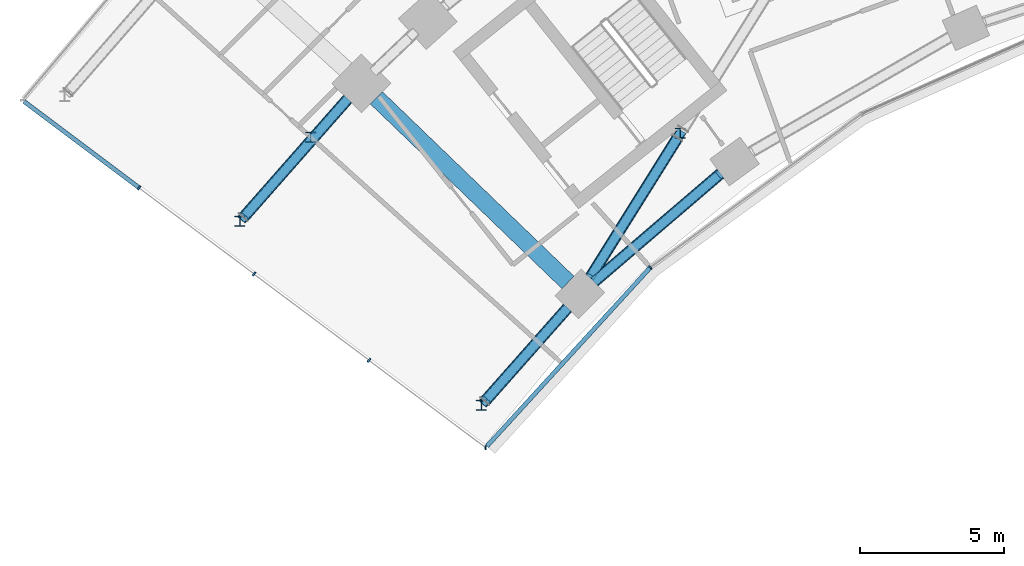
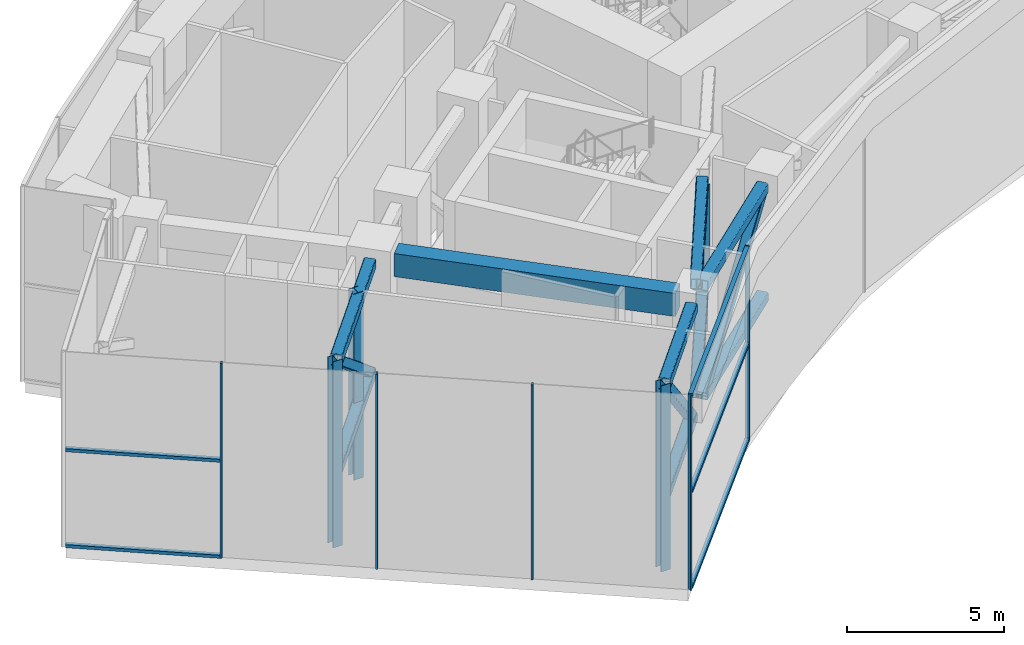
# One storey, part 2 of 30: 26 members, 1 beam, 2 elements without a shape of their own.
"""IFC4 building model written with IfcOpenShell, lengths in metres."""

from ifc_helpers import new_model, si_unit, direction, frame, origin, origin_2d, place, context, subcontext, project, spatial, rectangle, hollow_rectangle, i_section, extrude, material, layer, layer_set, material_profile, profile_set, type_object, element, aggregate, save


model = new_model("IFC4")

# Units and contexts
model_context = context("Model", 3, precision=1e-05, world=origin(), true_north=direction((0.0, 1.0)))
body_context = subcontext(model_context, "Body", "Model", "MODEL_VIEW")
ifc_project = project(units=[si_unit("LENGTHUNIT", "METRE"), si_unit("AREAUNIT", "SQUARE_METRE"), si_unit("VOLUMEUNIT", "CUBIC_METRE"), si_unit("PLANEANGLEUNIT", "RADIAN"), si_unit("MASSUNIT", "GRAM", prefix="KILO")], contexts=[model_context])

# Site, building, storey
site_placement = place(None, origin())
site = spatial("IfcSite", under=ifc_project, at=site_placement, CompositionType="ELEMENT")
building_placement = place(site_placement, origin())
building = spatial("IfcBuilding", under=site, at=building_placement, Name="Stone Belt Terrace Tower", CompositionType="ELEMENT")
storey_placement = place(building_placement, frame((0.0, 0.0, 136.39990234375)))
storey = spatial("IfcBuildingStorey", under=building, at=storey_placement, Name="L33", CompositionType="ELEMENT", Elevation=136.39990234375)

# Curtain wall, members
ifc_material_1 = material(Name="Aluminium 6063-T6 anodised frame", Category="aluminium")
ifc_layer_1 = layer(ifc_material_1, 0.14990234375)
ifc_layer_set_1 = layer_set([ifc_layer_1], Name="CW-B unitised concave-face curtain wall")
curtain_wall_type_1 = type_object("IfcCurtainWallType", Name="CW-B unitised concave-face curtain wall", PredefinedType="NOTDEFINED", material=ifc_layer_set_1)
curtain_wall_1_placement = place(storey_placement, origin())
curtain_wall_1 = element("IfcCurtainWall", 1, at=curtain_wall_1_placement, inside=storey, type_object=curtain_wall_type_1, Name="CW-B concave face L33", PredefinedType="NOTDEFINED")
ifc_material_profile_1 = material_profile(ifc_material_1, rectangle(XDim=0.14990234375, YDim=0.050048828125, at=origin_2d()), Name="Aluminium 6063-T6 50x150")
ifc_profile_set_1 = profile_set([ifc_material_profile_1], Name="Aluminium 6063-T6 anodised frame")
member_type_1 = type_object("IfcMemberType", Name="CW-B mullion 50 x 150", PredefinedType="MULLION", material=ifc_profile_set_1)
member_1_placement = place(storey_placement, frame((-34.7900390625, 26.0, 0.0), z_axis=(0.0, 0.0, 1.0), x_axis=(-0.093180581986, 0.995649224949, 0.0)))
member_1 = element("IfcMember", 2, at=member_1_placement, type_object=member_type_1, Name="CW-B mullion 1", PredefinedType="MULLION", context=body_context, shape_type="SweptSolid", body=[
    extrude(rectangle(XDim=0.14990234375, YDim=0.050048828125, at=origin_2d()), origin(), (0.0, 0.0, 1.0), 7.60009765625),
])
member_2_placement = place(storey_placement, frame((-29.056884765625, 32.2705078125, 0.0), z_axis=(0.0, 0.0, 1.0), x_axis=(-0.666300886777, 0.745682994496, 0.0)))
member_2 = element("IfcMember", 3, at=member_2_placement, type_object=member_type_1, Name="CW-B mullion 2", PredefinedType="MULLION", context=body_context, shape_type="SweptSolid", body=[
    extrude(rectangle(XDim=0.14990234375, YDim=0.050048828125, at=origin_2d()), origin(), (0.0, 0.0, 1.0), 7.60009765625),
])
ifc_material_profile_2 = material_profile(ifc_material_1, rectangle(XDim=0.14990234375, YDim=0.1201171875, at=origin_2d()), Name="Aluminium 6063-T6 150x120")
ifc_profile_set_2 = profile_set([ifc_material_profile_2], Name="Aluminium 6063-T6 anodised frame")
member_type_2 = type_object("IfcMemberType", Name="CW-B transom 120 x 150", PredefinedType="USERDEFINED", material=ifc_profile_set_2)
member_3_placement = place(storey_placement, frame((-34.743408203125, 26.05078125, 0.06005859375), z_axis=(0.674757432231, 0.738039570517, 0.0), x_axis=(-0.738039570517, 0.674757432231, 0.0)))
member_3 = element("IfcMember", 4, at=member_3_placement, type_object=member_type_2, Name="CW-B transom 1.1", ObjectType="TRANSOM", PredefinedType="USERDEFINED", context=body_context, shape_type="SweptSolid", body=[
    extrude(rectangle(XDim=0.14990234375, YDim=0.1201171875, at=origin_2d()), origin(), (0.0, 0.0, 1.0), 8.39501953125),
])
member_4_placement = place(storey_placement, frame((-34.743408203125, 26.05078125, 3.800048828125), z_axis=(0.674757432231, 0.738039570517, 0.0), x_axis=(-0.738039570517, 0.674757432231, 0.0)))
member_4 = element("IfcMember", 5, at=member_4_placement, type_object=member_type_2, Name="CW-B transom 1.2", ObjectType="TRANSOM", PredefinedType="USERDEFINED", context=body_context, shape_type="SweptSolid", body=[
    extrude(rectangle(XDim=0.14990234375, YDim=0.1201171875, at=origin_2d()), origin(), (0.0, 0.0, 1.0), 8.39501953125),
])
member_5_placement = place(storey_placement, frame((-34.743408203125, 26.05078125, 7.5400390625), z_axis=(0.674757432231, 0.738039570517, 0.0), x_axis=(-0.738039570517, 0.674757432231, 0.0)))
member_5 = element("IfcMember", 6, at=member_5_placement, type_object=member_type_2, Name="CW-B transom 1.3", ObjectType="TRANSOM", PredefinedType="USERDEFINED", context=body_context, shape_type="SweptSolid", body=[
    extrude(rectangle(XDim=0.14990234375, YDim=0.1201171875, at=origin_2d()), origin(), (0.0, 0.0, 1.0), 8.39501953125),
])
aggregate(curtain_wall_1, [member_1, member_2, member_3, member_4, member_5])

ifc_layer_2 = layer(ifc_material_1, 0.14990234375)
ifc_layer_set_2 = layer_set([ifc_layer_2], Name="CW-C stick curtain wall, horn ends and notches")
curtain_wall_type_2 = type_object("IfcCurtainWallType", Name="CW-C stick curtain wall, horn ends and notches", PredefinedType="NOTDEFINED", material=ifc_layer_set_2)
curtain_wall_2_placement = place(storey_placement, origin())
curtain_wall_2 = element("IfcCurtainWall", 7, at=curtain_wall_2_placement, inside=storey, type_object=curtain_wall_type_2, Name="CW-C end face L33", PredefinedType="NOTDEFINED")
ifc_material_profile_3 = material_profile(ifc_material_1, rectangle(XDim=0.14990234375, YDim=0.06005859375, at=origin_2d()), Name="Aluminium 6063-T6 60x150")
ifc_profile_set_3 = profile_set([ifc_material_profile_3], Name="Aluminium 6063-T6 anodised frame")
member_type_3 = type_object("IfcMemberType", Name="CW-C mullion 60 x 150", PredefinedType="MULLION", material=ifc_profile_set_3)
member_6_placement = place(storey_placement, frame((-46.84423828125, 35.041015625, 0.0), z_axis=(0.0, 0.0, 1.0), x_axis=(0.600017992436, 0.799986505357, 0.0)))
member_6 = element("IfcMember", 8, at=member_6_placement, type_object=member_type_3, Name="CW-C mullion 2", PredefinedType="MULLION", context=body_context, shape_type="SweptSolid", body=[
    extrude(rectangle(XDim=0.14990234375, YDim=0.06005859375, at=origin_2d()), origin(), (0.0, 0.0, 1.0), 7.60009765625),
])
member_7_placement = place(storey_placement, frame((-42.84423828125, 32.041015625, 0.0), z_axis=(0.0, 0.0, 1.0), x_axis=(0.600017992436, 0.799986505357, 0.0)))
member_7 = element("IfcMember", 9, at=member_7_placement, type_object=member_type_3, Name="CW-C mullion 3", PredefinedType="MULLION", context=body_context, shape_type="SweptSolid", body=[
    extrude(rectangle(XDim=0.14990234375, YDim=0.06005859375, at=origin_2d()), origin(), (0.0, 0.0, 1.0), 7.60009765625),
])
member_8_placement = place(storey_placement, frame((-38.84423828125, 29.040771484375, 0.0), z_axis=(0.0, 0.0, 1.0), x_axis=(0.600017992436, 0.799986505357, 0.0)))
member_8 = element("IfcMember", 10, at=member_8_placement, type_object=member_type_3, Name="CW-C mullion 4", PredefinedType="MULLION", context=body_context, shape_type="SweptSolid", body=[
    extrude(rectangle(XDim=0.14990234375, YDim=0.06005859375, at=origin_2d()), origin(), (0.0, 0.0, 1.0), 7.60009765625),
])
ifc_material_profile_4 = material_profile(ifc_material_1, rectangle(XDim=0.14990234375, YDim=0.1201171875, at=origin_2d()), Name="Aluminium 6063-T6 150x120")
ifc_profile_set_4 = profile_set([ifc_material_profile_4], Name="Aluminium 6063-T6 anodised frame")
member_type_4 = type_object("IfcMemberType", Name="CW-C transom 120 x 150", PredefinedType="USERDEFINED", material=ifc_profile_set_4)
member_9_placement = place(storey_placement, frame((-50.84765625, 38.043701171875, 0.06005859375), z_axis=(0.8, -0.6, 0.0), x_axis=(0.6, 0.8, 0.0)))
member_9 = element("IfcMember", 11, at=member_9_placement, type_object=member_type_4, Name="CW-C transom 1.1", ObjectType="TRANSOM", PredefinedType="USERDEFINED", context=body_context, shape_type="SweptSolid", body=[
    extrude(rectangle(XDim=0.14990234375, YDim=0.1201171875, at=origin_2d()), origin(), (0.0, 0.0, 1.0), 4.974365234375),
])
member_10_placement = place(storey_placement, frame((-50.84765625, 38.043701171875, 3.800048828125), z_axis=(0.8, -0.6, 0.0), x_axis=(0.6, 0.8, 0.0)))
member_10 = element("IfcMember", 12, at=member_10_placement, type_object=member_type_4, Name="CW-C transom 1.2", ObjectType="TRANSOM", PredefinedType="USERDEFINED", context=body_context, shape_type="SweptSolid", body=[
    extrude(rectangle(XDim=0.14990234375, YDim=0.1201171875, at=origin_2d()), origin(), (0.0, 0.0, 1.0), 4.974365234375),
])
aggregate(curtain_wall_2, [member_6, member_7, member_8, member_9, member_10])

# Beam
ifc_material_2 = material(Name="Concrete B60", Category="concrete")
ifc_material_profile_5 = material_profile(ifc_material_2, rectangle(XDim=0.60009765625, YDim=0.89990234375, at=origin_2d()), Name="RC 600x900")
ifc_profile_set_5 = profile_set([ifc_material_profile_5], Name="Concrete B60")
beam_type = type_object("IfcBeamType", Name="Edge beam RC 600x900 B60", PredefinedType="SPANDREL", material=ifc_profile_set_5)
beam_placement = place(storey_placement, frame((-31.921875, 31.745849609375, 6.800048828125), z_axis=(-0.720003843897, 0.69397007484, 0.0), x_axis=(-0.69397007484, -0.720003843897, 0.0)))
element("IfcBeam", 13, at=beam_placement, inside=storey, type_object=beam_type, Name="Edge beam L33 A P to Q", PredefinedType="SPANDREL", context=body_context, shape_type="SweptSolid", body=[
    extrude(rectangle(XDim=0.60009765625, YDim=0.89990234375, at=origin_2d()), origin(), (0.0, 0.0, 1.0), 9.255859375),
])

# Members
ifc_material_3 = material(Name="Structural steel C345", Category="steel")
ifc_material_profile_6 = material_profile(ifc_material_3, hollow_rectangle(XDim=0.39990234375, YDim=0.39990234375, WallThickness=0.02001953125, InnerFilletRadius=0.0400390625, OuterFilletRadius=0.06005859375, at=origin_2d()), Name="SHS 400x400x20")
ifc_profile_set_6 = profile_set([ifc_material_profile_6], Name="Structural steel C345")
member_type_5 = type_object("IfcMemberType", Name="Outrigger chord SHS 400x400x20", PredefinedType="CHORD", material=ifc_profile_set_6)
for number, where, z_axis, x_axis, name in (
    (14, (-34.8046875, 27.622802734375, 7.050048828125), (0.6628480348, 0.74875395342, 0.0), (-0.74875395342, 0.6628480348, 0.0), "Outrigger T2 Pw top chord 1"),
    (15, (-34.8046875, 27.622802734375, 2.800048828125), (0.6628480348, 0.74875395342, 0.0), (-0.74875395342, 0.6628480348, 0.0), "Outrigger T2 Pw bot chord 1"),
):
    element("IfcMember", number, at=place(storey_placement, frame(where, z_axis=z_axis, x_axis=x_axis)), inside=storey, type_object=member_type_5, Name=name, PredefinedType="CHORD", context=body_context, shape_type="SweptSolid", body=[
        extrude(hollow_rectangle(XDim=0.39990234375, YDim=0.39990234375, WallThickness=0.02001953125, InnerFilletRadius=0.0400390625, OuterFilletRadius=0.06005859375, at=origin_2d()), origin(), (0.0, 0.0, 1.0), 4.322509765625),
    ])
for number, where, z_axis, x_axis, name in (
    (16, (-31.012451171875, 31.77099609375, 7.050048828125), (0.759578320567, 0.650415847688, 0.0), (-0.650415847688, 0.759578320567, 0.0), "Outrigger T2 Pw top chord 2"),
    (17, (-31.012451171875, 31.77099609375, 2.800048828125), (0.759578320567, 0.650415847688, 0.0), (-0.650415847688, 0.759578320567, 0.0), "Outrigger T2 Pw bot chord 2"),
):
    element("IfcMember", number, at=place(storey_placement, frame(where, z_axis=z_axis, x_axis=x_axis)), inside=storey, type_object=member_type_5, Name=name, PredefinedType="CHORD", context=body_context, shape_type="SweptSolid", body=[
        extrude(hollow_rectangle(XDim=0.39990234375, YDim=0.39990234375, WallThickness=0.02001953125, InnerFilletRadius=0.0400390625, OuterFilletRadius=0.06005859375, at=origin_2d()), origin(), (0.0, 0.0, 1.0), 5.783447265625),
    ])
for number, where, z_axis, x_axis, name in (
    (18, (-43.204833984375, 34.016845703125, 7.050048828125), (0.660610806321, 0.75072855452, 0.0), (-0.75072855452, 0.660610806321, 0.0), "Outrigger T2 Qw top chord 1"),
    (19, (-43.204833984375, 34.016845703125, 2.800048828125), (0.660610806321, 0.75072855452, 0.0), (-0.75072855452, 0.660610806321, 0.0), "Outrigger T2 Qw bot chord 1"),
):
    element("IfcMember", number, at=place(storey_placement, frame(where, z_axis=z_axis, x_axis=x_axis)), inside=storey, type_object=member_type_5, Name=name, PredefinedType="CHORD", context=body_context, shape_type="SweptSolid", body=[
        extrude(hollow_rectangle(XDim=0.39990234375, YDim=0.39990234375, WallThickness=0.02001953125, InnerFilletRadius=0.0400390625, OuterFilletRadius=0.06005859375, at=origin_2d()), origin(), (0.0, 0.0, 1.0), 5.47509765625),
    ])
for number, where, z_axis, x_axis, name in (
    (20, (-31.154296875, 31.912109375, 7.050048828125), (0.530052589105, 0.847964770956, 0.0), (-0.847964770956, 0.530052589105, 0.0), "Outrigger T2 coreA-horn-P top chord 1"),
    (21, (-31.154296875, 31.912109375, 2.800048828125), (0.530052589105, 0.847964770956, 0.0), (-0.847964770956, 0.530052589105, 0.0), "Outrigger T2 coreA-horn-P bot chord 1"),
):
    element("IfcMember", number, at=place(storey_placement, frame(where, z_axis=z_axis, x_axis=x_axis)), inside=storey, type_object=member_type_5, Name=name, PredefinedType="CHORD", context=body_context, shape_type="SweptSolid", body=[
        extrude(hollow_rectangle(XDim=0.39990234375, YDim=0.39990234375, WallThickness=0.02001953125, InnerFilletRadius=0.0400390625, OuterFilletRadius=0.06005859375, at=origin_2d()), origin(), (0.0, 0.0, 1.0), 5.7265625),
    ])
ifc_material_profile_7 = material_profile(ifc_material_3, hollow_rectangle(XDim=0.35009765625, YDim=0.35009765625, WallThickness=0.01611328125, InnerFilletRadius=0.031982421875, OuterFilletRadius=0.048095703125, at=origin_2d()), Name="SHS 350x350x16")
ifc_profile_set_7 = profile_set([ifc_material_profile_7], Name="Structural steel C345")
member_type_6 = type_object("IfcMemberType", Name="Outrigger diagonal SHS 350x350x16", PredefinedType="BRACE", material=ifc_profile_set_7)
member_11_placement = place(storey_placement, frame((-34.818115234375, 27.607666015625, 7.050048828125), z_axis=(0.473743579477, 0.535136183111, -0.699425683279), x_axis=(-0.748750790169, 0.662851607995, 0.0)))
element("IfcMember", 22, at=member_11_placement, inside=storey, type_object=member_type_6, Name="Outrigger T2 Pw diagonal 1", PredefinedType="BRACE", context=body_context, shape_type="SweptSolid", body=[
    extrude(hollow_rectangle(XDim=0.35009765625, YDim=0.35009765625, WallThickness=0.01611328125, InnerFilletRadius=0.031982421875, OuterFilletRadius=0.048095703125, at=origin_2d()), origin(), (0.0, 0.0, 1.0), 6.076416015625),
])
member_12_placement = place(storey_placement, frame((-31.012451171875, 31.77099609375, 2.800048828125), z_axis=(0.61208721395, 0.524121362262, 0.592153730157), x_axis=(-0.650415847688, 0.759578320567, 0.0)))
element("IfcMember", 23, at=member_12_placement, inside=storey, type_object=member_type_6, Name="Outrigger T2 Pw diagonal 2", PredefinedType="BRACE", context=body_context, shape_type="SweptSolid", body=[
    extrude(hollow_rectangle(XDim=0.35009765625, YDim=0.35009765625, WallThickness=0.01611328125, InnerFilletRadius=0.031982421875, OuterFilletRadius=0.048095703125, at=origin_2d()), origin(), (0.0, 0.0, 1.0), 7.17724609375),
])
member_13_placement = place(storey_placement, frame((-43.218017578125, 34.001708984375, 7.050048828125), z_axis=(0.522550498094, 0.593856904754, -0.611780151376), x_axis=(-0.750740837971, 0.660596846952, 0.0)))
element("IfcMember", 24, at=member_13_placement, inside=storey, type_object=member_type_6, Name="Outrigger T2 Qw diagonal 1", PredefinedType="BRACE", context=body_context, shape_type="SweptSolid", body=[
    extrude(hollow_rectangle(XDim=0.35009765625, YDim=0.35009765625, WallThickness=0.01611328125, InnerFilletRadius=0.031982421875, OuterFilletRadius=0.048095703125, at=origin_2d()), origin(), (0.0, 0.0, 1.0), 6.947021484375),
])
member_14_placement = place(storey_placement, frame((-31.154296875, 31.912109375, 7.050048828125), z_axis=(0.430642968509, 0.688888071348, -0.583077918317), x_axis=(-0.847949659891, 0.53007676264, 0.0)))
element("IfcMember", 25, at=member_14_placement, inside=storey, type_object=member_type_6, Name="Outrigger T2 coreA-horn-P diagonal 1", PredefinedType="BRACE", context=body_context, shape_type="SweptSolid", body=[
    extrude(hollow_rectangle(XDim=0.35009765625, YDim=0.35009765625, WallThickness=0.01611328125, InnerFilletRadius=0.031982421875, OuterFilletRadius=0.048095703125, at=origin_2d()), origin(), (0.0, 0.0, 1.0), 7.288818359375),
])
ifc_material_profile_8 = material_profile(ifc_material_3, i_section(OverallWidth=0.35009765625, OverallDepth=0.35009765625, WebThickness=0.011962890625, FlangeThickness=0.01904296875, at=origin_2d()), Name="I 35K2")
ifc_profile_set_8 = profile_set([ifc_material_profile_8], Name="Structural steel C345")
member_type_7 = type_object("IfcMemberType", Name="Outrigger post I 35K2", PredefinedType="POST", material=ifc_profile_set_8)
for number, where, z_axis, x_axis, name in (
    (26, (-34.93408203125, 27.476806640625, 0.0), (0.0, 0.0, 1.0), (1.0, 0.0, 0.0), "Outrigger T2 Pw tip post"),
    (27, (-43.33349609375, 33.870361328125, 0.0), (0.0, 0.0, 1.0), (1.0, 0.0, 0.0), "Outrigger T2 Qw tip post"),
    (28, (-40.873046875, 36.80224609375, 0.0), (0.0, 0.0, 1.0), (1.0, 0.0, 0.0), "Outrigger T2 Qw post under column Q14"),
):
    element("IfcMember", number, at=place(storey_placement, frame(where, z_axis=z_axis, x_axis=x_axis)), inside=storey, type_object=member_type_7, Name=name, PredefinedType="POST", context=body_context, shape_type="SweptSolid", body=[
        extrude(i_section(OverallWidth=0.35009765625, OverallDepth=0.35009765625, WebThickness=0.011962890625, FlangeThickness=0.01904296875, at=origin_2d()), origin(), (0.0, 0.0, 1.0), 7.25),
    ])
member_15_placement = place(storey_placement, frame((-28.015380859375, 36.933349609375, 3.0), z_axis=(0.0, 0.0, 1.0), x_axis=(1.0, 0.0, 0.0)))
element("IfcMember", 29, at=member_15_placement, inside=storey, type_object=member_type_7, Name="Outrigger T2 coreA-horn-P post 1", PredefinedType="POST", context=body_context, shape_type="SweptSolid", body=[
    extrude(i_section(OverallWidth=0.35009765625, OverallDepth=0.35009765625, WebThickness=0.011962890625, FlangeThickness=0.01904296875, at=origin_2d()), origin(), (0.0, 0.0, 1.0), 3.85009765625),
])

save(model, "model.ifc")
